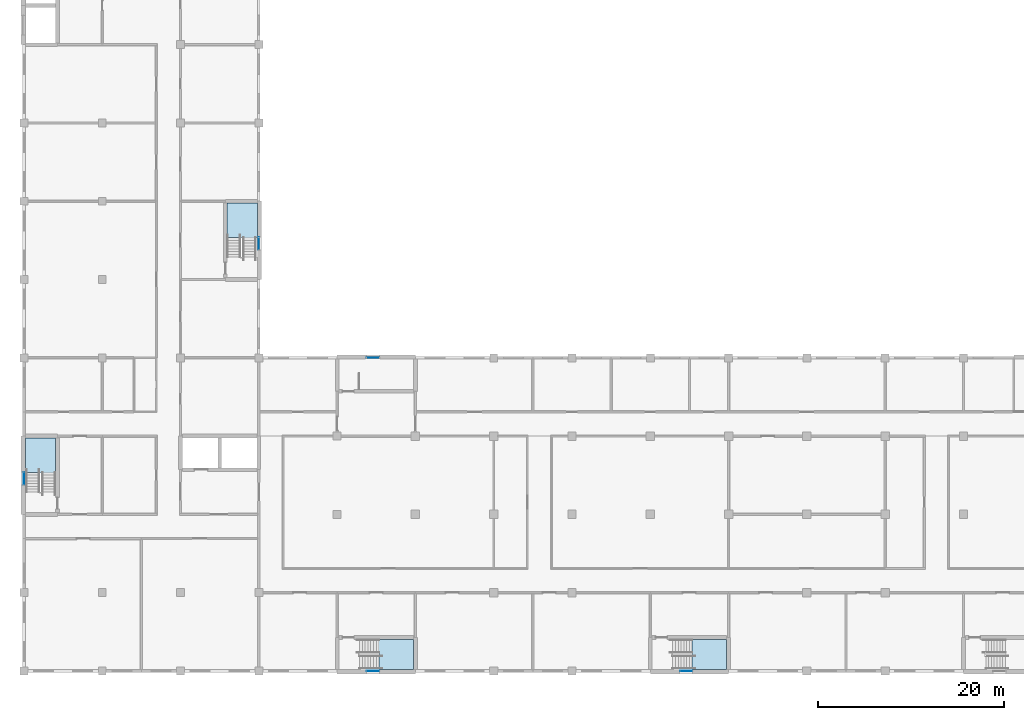
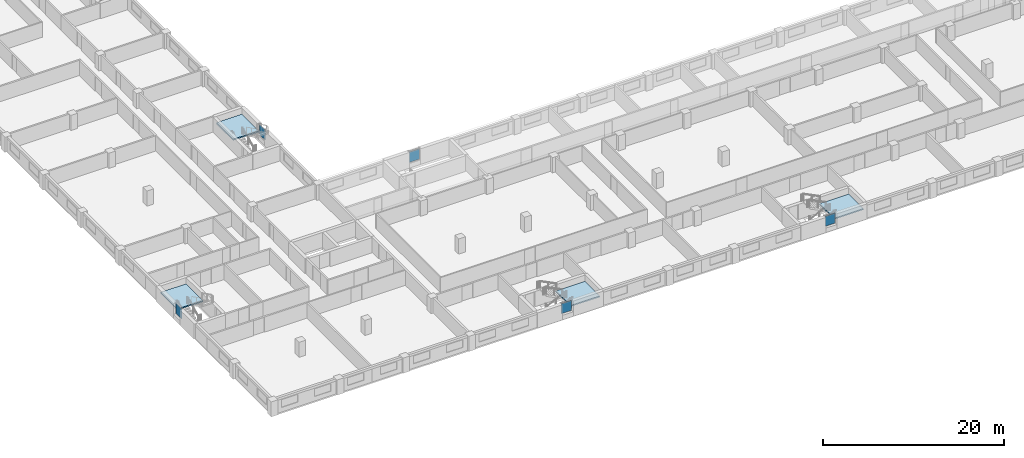
# One storey, part 23 of 48: 5 plates, 4 slabs, 9 elements without a shape of their own.
"""IFC4 building model written with IfcOpenShell, lengths in metres."""

from ifc_helpers import new_model, si_unit, direction, frame, origin, origin_2d, place, context, subcontext, project, spatial, polyline, rectangle, outline, extrude, material, layer, layer_set, type_object, element, aggregate, save


model = new_model("IFC4")

# Units and contexts
model_context = context("Model", 3, precision=1e-05, world=origin(), true_north=direction((0.0, 1.0)))
body_context = subcontext(model_context, "Body", "Model", "MODEL_VIEW")
ifc_project = project(units=[si_unit("LENGTHUNIT", "METRE"), si_unit("AREAUNIT", "SQUARE_METRE"), si_unit("VOLUMEUNIT", "CUBIC_METRE"), si_unit("PLANEANGLEUNIT", "RADIAN"), si_unit("MASSUNIT", "GRAM", prefix="KILO")], contexts=[model_context])

# Site, building, storey
site_placement = place(None, origin())
site = spatial("IfcSite", under=ifc_project, at=site_placement, CompositionType="ELEMENT")
building_placement = place(site_placement, origin())
building = spatial("IfcBuilding", under=site, at=building_placement, Name="Yavir Park General Hospital", CompositionType="ELEMENT")
storey_placement = place(building_placement, frame((0.0, 0.0, 12.89990234375)))
storey = spatial("IfcBuildingStorey", under=building, at=storey_placement, Name="I02", CompositionType="ELEMENT", Elevation=12.89990234375)

# Stair, slab
ifc_material_1 = material(Name="Concrete C30/37", Category="concrete")
stair_type = type_object("IfcStairType", Name="Patient escape stair, 16 risers of 150 mm, 1400 mm flights", PredefinedType="HALF_TURN_STAIR", material=ifc_material_1)
stair_1_placement = place(storey_placement, origin())
stair_1 = element("IfcStair", 1, at=stair_1_placement, inside=storey, type_object=stair_type, Name="Stair SU1, I02 to L03", PredefinedType="HALF_TURN_STAIR")
ifc_material_2 = material(Name="Concrete C30/37", Category="concrete")
ifc_layer_1 = layer(ifc_material_2, 0.159912109375)
ifc_layer_set_1 = layer_set([ifc_layer_1], Name="Concrete C30/37")
slab_type = type_object("IfcSlabType", Name="Patient escape stair half landing, reinforced concrete 160 mm", PredefinedType="LANDING", material=ifc_layer_set_1)
slab_1_placement = place(storey_placement, frame((0.0, 0.0, 1.0400390625)))
slab_1 = element("IfcSlab", 2, at=slab_1_placement, type_object=slab_type, Name="SU1 landing 1", PredefinedType="LANDING", context=body_context, shape_type="SweptSolid", body=[
    extrude(outline(polyline([(0.14990234375, 21.298583984375), (0.14990234375, 25.0), (3.39990234375, 25.0), (3.39990234375, 21.25), (1.949951171875, 21.25), (1.949951171875, 21.298583984375), (0.14990234375, 21.298583984375)])), origin(), (0.0, 0.0, 1.0), 0.16015625),
])
aggregate(stair_1, [slab_1])

stair_2_placement = place(storey_placement, origin())
stair_2 = element("IfcStair", 3, at=stair_2_placement, inside=storey, type_object=stair_type, Name="Stair SU2, I02 to L03", PredefinedType="HALF_TURN_STAIR")
slab_2_placement = place(storey_placement, frame((0.0, 0.0, 1.0400390625)))
slab_2 = element("IfcSlab", 4, at=slab_2_placement, type_object=slab_type, Name="SU2 landing 1", PredefinedType="LANDING", context=body_context, shape_type="SweptSolid", body=[
    extrude(outline(polyline([(38.098388671875, 0.14990234375), (41.800048828125, 0.14990234375), (41.800048828125, 3.39990234375), (38.050048828125, 3.39990234375), (38.050048828125, 1.949951171875), (38.098388671875, 1.949951171875), (38.098388671875, 0.14990234375)])), origin(), (0.0, 0.0, 1.0), 0.16015625),
])
aggregate(stair_2, [slab_2])

stair_3_placement = place(storey_placement, origin())
stair_3 = element("IfcStair", 5, at=stair_3_placement, inside=storey, type_object=stair_type, Name="Stair SU3, I02 to L03", PredefinedType="HALF_TURN_STAIR")
slab_3_placement = place(storey_placement, frame((0.0, 0.0, 1.0400390625)))
slab_3 = element("IfcSlab", 6, at=slab_3_placement, type_object=slab_type, Name="SU3 landing 1", PredefinedType="LANDING", context=body_context, shape_type="SweptSolid", body=[
    extrude(outline(polyline([(71.698486328125, 0.14990234375), (75.39990234375, 0.14990234375), (75.39990234375, 3.39990234375), (71.64990234375, 3.39990234375), (71.64990234375, 1.949951171875), (71.698486328125, 1.949951171875), (71.698486328125, 0.14990234375)])), origin(), (0.0, 0.0, 1.0), 0.16015625),
])
aggregate(stair_3, [slab_3])

stair_4_placement = place(storey_placement, origin())
stair_4 = element("IfcStair", 7, at=stair_4_placement, inside=storey, type_object=stair_type, Name="Stair SW1, I02 to L03", PredefinedType="HALF_TURN_STAIR")
slab_4_placement = place(storey_placement, frame((0.0, 0.0, 1.0400390625)))
slab_4 = element("IfcSlab", 8, at=slab_4_placement, type_object=slab_type, Name="SW1 landing 1", PredefinedType="LANDING", context=body_context, shape_type="SweptSolid", body=[
    extrude(outline(polyline([(21.800048828125, 46.49853515625), (21.800048828125, 50.199951171875), (25.050048828125, 50.199951171875), (25.050048828125, 46.449951171875), (23.5, 46.449951171875), (23.5, 46.49853515625), (21.800048828125, 46.49853515625)])), origin(), (0.0, 0.0, 1.0), 0.16015625),
])
aggregate(stair_4, [slab_4])

# Curtain wall, plate
ifc_material_3 = material(Name="Aluminium curtain wall frame with insulated glazing", Category="aluminium")
curtain_wall_type_1 = type_object("IfcCurtainWallType", Name="Stair light slot, interstitial floor, 1440 high, 1400 module", PredefinedType="NOTDEFINED", material=ifc_material_3)
curtain_wall_1_placement = place(storey_placement, origin())
curtain_wall_1 = element("IfcCurtainWall", 9, at=curtain_wall_1_placement, inside=storey, type_object=curtain_wall_type_1, Name="CW12 I02-001", PredefinedType="NOTDEFINED")
ifc_material_4 = material(Name="Single glazed toughened unit 20 mm")
ifc_layer_2 = layer(ifc_material_4, 0.02001953125)
ifc_layer_set_2 = layer_set([ifc_layer_2], Name="Single glazed toughened unit 20 mm")
plate_type_1 = type_object("IfcPlateType", Name="Stair light slot, interstitial floor, 1440 high panel 20", PredefinedType="CURTAIN_PANEL", material=ifc_layer_set_2)
plate_1_placement = place(storey_placement, frame((37.449951171875, 0.0, 0.64013671875), z_axis=(0.0, 0.0, 1.0), x_axis=(1.0, 0.0, 0.0)))
plate_1 = element("IfcPlate", 10, at=plate_1_placement, type_object=plate_type_1, Name="CW12 panel 1.1", PredefinedType="CURTAIN_PANEL", context=body_context, shape_type="SweptSolid", body=[
    extrude(rectangle(XDim=1.320068359375, YDim=0.02001953125, at=origin_2d()), origin(), (0.0, 0.0, 1.0), 1.360107421875),
])
aggregate(curtain_wall_1, [plate_1])

curtain_wall_2_placement = place(storey_placement, origin())
curtain_wall_2 = element("IfcCurtainWall", 11, at=curtain_wall_2_placement, inside=storey, type_object=curtain_wall_type_1, Name="CW12 I02-002", PredefinedType="NOTDEFINED")
plate_2_placement = place(storey_placement, frame((71.050048828125, 0.0, 0.64013671875), z_axis=(0.0, 0.0, 1.0), x_axis=(1.0, 0.0, 0.0)))
plate_2 = element("IfcPlate", 12, at=plate_2_placement, type_object=plate_type_1, Name="CW12 panel 1.1", PredefinedType="CURTAIN_PANEL", context=body_context, shape_type="SweptSolid", body=[
    extrude(rectangle(XDim=1.320068359375, YDim=0.02001953125, at=origin_2d()), origin(), (0.0, 0.0, 1.0), 1.360107421875),
])
aggregate(curtain_wall_2, [plate_2])

curtain_wall_3_placement = place(storey_placement, origin())
curtain_wall_3 = element("IfcCurtainWall", 13, at=curtain_wall_3_placement, inside=storey, type_object=curtain_wall_type_1, Name="CW12 I02-008", PredefinedType="NOTDEFINED")
plate_3_placement = place(storey_placement, frame((0.0, 20.64990234375, 0.64013671875), z_axis=(0.0, 0.0, 1.0), x_axis=(0.0, 1.0, 0.0)))
plate_3 = element("IfcPlate", 14, at=plate_3_placement, type_object=plate_type_1, Name="CW12 panel 1.1", PredefinedType="CURTAIN_PANEL", context=body_context, shape_type="SweptSolid", body=[
    extrude(rectangle(XDim=1.320068359375, YDim=0.02001953125, at=origin_2d()), origin(), (0.0, 0.0, 1.0), 1.360107421875),
])
aggregate(curtain_wall_3, [plate_3])

curtain_wall_4_placement = place(storey_placement, origin())
curtain_wall_4 = element("IfcCurtainWall", 15, at=curtain_wall_4_placement, inside=storey, type_object=curtain_wall_type_1, Name="CW12 I02-009", PredefinedType="NOTDEFINED")
plate_4_placement = place(storey_placement, frame((25.199951171875, 45.85009765625, 0.64013671875), z_axis=(0.0, 0.0, 1.0), x_axis=(0.0, 1.0, 0.0)))
plate_4 = element("IfcPlate", 16, at=plate_4_placement, type_object=plate_type_1, Name="CW12 panel 1.1", PredefinedType="CURTAIN_PANEL", context=body_context, shape_type="SweptSolid", body=[
    extrude(rectangle(XDim=1.320068359375, YDim=0.02001953125, at=origin_2d()), origin(), (0.0, 0.0, 1.0), 1.360107421875),
])
aggregate(curtain_wall_4, [plate_4])

ifc_material_5 = material(Name="Aluminium curtain wall frame with insulated glazing", Category="aluminium")
curtain_wall_type_2 = type_object("IfcCurtainWallType", Name="Stair light slot, interstitial floor, 1500 high, 1400 module", PredefinedType="NOTDEFINED", material=ifc_material_5)
curtain_wall_5_placement = place(storey_placement, origin())
curtain_wall_5 = element("IfcCurtainWall", 17, at=curtain_wall_5_placement, inside=storey, type_object=curtain_wall_type_2, Name="CW61 I02-005", PredefinedType="NOTDEFINED")
ifc_material_6 = material(Name="Single glazed toughened unit 20 mm")
ifc_layer_3 = layer(ifc_material_6, 0.02001953125)
ifc_layer_set_3 = layer_set([ifc_layer_3], Name="Single glazed toughened unit 20 mm")
plate_type_2 = type_object("IfcPlateType", Name="Stair light slot, interstitial floor, 1500 high panel 20", PredefinedType="CURTAIN_PANEL", material=ifc_layer_set_3)
plate_5_placement = place(storey_placement, frame((37.449951171875, 33.60009765625, 0.64013671875), z_axis=(0.0, 0.0, 1.0), x_axis=(1.0, 0.0, 0.0)))
plate_5 = element("IfcPlate", 18, at=plate_5_placement, type_object=plate_type_2, Name="CW61 panel 1.1", PredefinedType="CURTAIN_PANEL", context=body_context, shape_type="SweptSolid", body=[
    extrude(rectangle(XDim=1.320068359375, YDim=0.02001953125, at=origin_2d()), origin(), (0.0, 0.0, 1.0), 1.419921875),
])
aggregate(curtain_wall_5, [plate_5])

save(model, "model.ifc")
